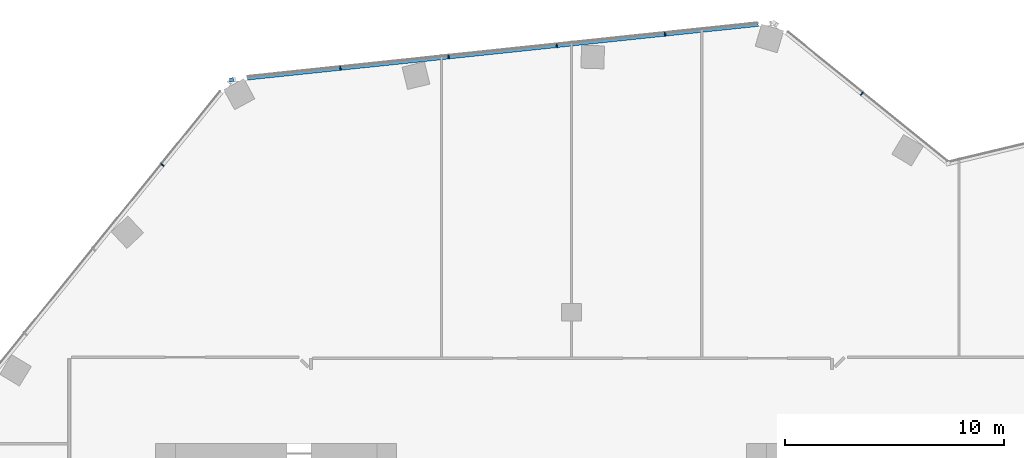
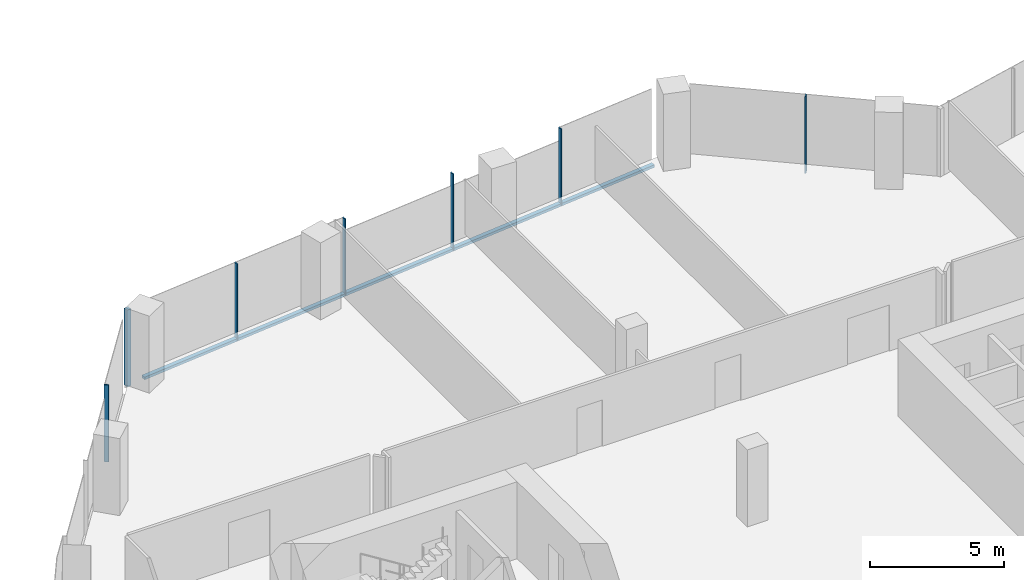
# One storey, part 11 of 23: 8 members, 3 elements without a shape of their own.
"""IFC4 building model written with IfcOpenShell, lengths in metres."""

from ifc_helpers import new_model, si_unit, direction, frame, origin, origin_2d, place, context, subcontext, project, spatial, rectangle, extrude, material, material_profile, profile_set, type_object, element, aggregate, save


model = new_model("IFC4")

# Units and contexts
model_context = context("Model", 3, precision=1e-05, world=origin(), true_north=direction((0.0, 1.0)))
body_context = subcontext(model_context, "Body", "Model", "MODEL_VIEW")
ifc_project = project(units=[si_unit("LENGTHUNIT", "METRE"), si_unit("AREAUNIT", "SQUARE_METRE"), si_unit("VOLUMEUNIT", "CUBIC_METRE"), si_unit("PLANEANGLEUNIT", "RADIAN"), si_unit("MASSUNIT", "GRAM", prefix="KILO")], contexts=[model_context])

# Site, building, storey
site_placement = place(None, origin())
site = spatial("IfcSite", under=ifc_project, at=site_placement, CompositionType="ELEMENT")
building_placement = place(site_placement, origin())
building = spatial("IfcBuilding", under=site, at=building_placement, Name="Orlundy Tower", CompositionType="ELEMENT")
storey_placement = place(building_placement, frame((0.0, 0.0, 224.5)))
storey = spatial("IfcBuildingStorey", under=building, at=storey_placement, Name="L59", CompositionType="ELEMENT", Elevation=224.5)

# Curtain wall, member
ifc_material_1 = material(Name="Aluminium bronze anodised", Category="aluminium")
curtain_wall_type = type_object("IfcCurtainWallType", Name="CW1 wall", PredefinedType="NOTDEFINED", material=ifc_material_1)
curtain_wall_1_placement = place(storey_placement, origin())
curtain_wall_1 = element("IfcCurtainWall", 1, at=curtain_wall_1_placement, inside=storey, type_object=curtain_wall_type, Name="CW1 run 04", PredefinedType="NOTDEFINED")
ifc_material_2 = material(Name="Aluminium bronze anodised", Category="aluminium")
ifc_material_profile_1 = material_profile(ifc_material_2, rectangle(XDim=0.179931640625, YDim=0.179931640625, at=origin_2d()), Name="CW1 corner post 180x180")
ifc_profile_set_1 = profile_set([ifc_material_profile_1], Name="Aluminium bronze anodised")
member_type_1 = type_object("IfcMemberType", Name="CW1 corner post 180x180", PredefinedType="MULLION", material=ifc_profile_set_1)
member_1_placement = place(storey_placement, frame((-15.54052734375, 28.62255859375, -0.419921875), z_axis=(0.0, 0.0, 1.0), x_axis=(-0.104538162943, 0.994520875843, 0.0)))
member_1 = element("IfcMember", 2, at=member_1_placement, type_object=member_type_1, Name="CW1 mullion 15", PredefinedType="MULLION", context=body_context, shape_type="SweptSolid", body=[
    extrude(rectangle(XDim=0.179931640625, YDim=0.179931640625, at=origin_2d()), origin(), (0.0, 0.0, 1.0), 3.5),
])

curtain_wall_2_placement = place(storey_placement, origin())
curtain_wall_2 = element("IfcCurtainWall", 3, at=curtain_wall_2_placement, inside=storey, type_object=curtain_wall_type, Name="CW1 run 03", PredefinedType="NOTDEFINED")
ifc_material_3 = material(Name="Aluminium bronze anodised", Category="aluminium")
ifc_material_profile_2 = material_profile(ifc_material_3, rectangle(XDim=0.179931640625, YDim=0.050048828125, at=origin_2d()), Name="CW1 mullion 50x180")
ifc_profile_set_2 = profile_set([ifc_material_profile_2], Name="Aluminium bronze anodised")
member_type_2 = type_object("IfcMemberType", Name="CW1 mullion 50x180", PredefinedType="MULLION", material=ifc_profile_set_2)
member_2_placement = place(storey_placement, frame((-18.692138671875, 24.730712890625, -0.419921875), z_axis=(0.0, 0.0, 1.0), x_axis=(-0.777145540374, 0.629320911043, 0.0)))
member_2 = element("IfcMember", 4, at=member_2_placement, type_object=member_type_2, Name="CW1 mullion 14", PredefinedType="MULLION", context=body_context, shape_type="SweptSolid", body=[
    extrude(rectangle(XDim=0.179931640625, YDim=0.050048828125, at=origin_2d()), origin(), (0.0, 0.0, 1.0), 3.5),
])
aggregate(curtain_wall_2, [member_2])

# Member
member_3_placement = place(storey_placement, frame((-10.560302734375, 29.14599609375, -0.419921875), z_axis=(0.0, 0.0, 1.0), x_axis=(-0.104538162943, 0.994520875843, 0.0)))
member_3 = element("IfcMember", 5, at=member_3_placement, type_object=member_type_2, Name="CW1 mullion 16", PredefinedType="MULLION", context=body_context, shape_type="SweptSolid", body=[
    extrude(rectangle(XDim=0.179931640625, YDim=0.050048828125, at=origin_2d()), origin(), (0.0, 0.0, 1.0), 3.5),
])

member_4_placement = place(storey_placement, frame((-5.616943359375, 29.665771484375, -0.419921875), z_axis=(0.0, 0.0, 1.0), x_axis=(-0.104538162943, 0.994520875843, 0.0)))
member_4 = element("IfcMember", 6, at=member_4_placement, type_object=member_type_2, Name="CW1 mullion 17", PredefinedType="MULLION", context=body_context, shape_type="SweptSolid", body=[
    extrude(rectangle(XDim=0.179931640625, YDim=0.050048828125, at=origin_2d()), origin(), (0.0, 0.0, 1.0), 3.5),
])

member_5_placement = place(storey_placement, frame((-0.673828125, 30.185302734375, -0.419921875), z_axis=(0.0, 0.0, 1.0), x_axis=(-0.104538162943, 0.994520875843, 0.0)))
member_5 = element("IfcMember", 7, at=member_5_placement, type_object=member_type_2, Name="CW1 mullion 18", PredefinedType="MULLION", context=body_context, shape_type="SweptSolid", body=[
    extrude(rectangle(XDim=0.179931640625, YDim=0.050048828125, at=origin_2d()), origin(), (0.0, 0.0, 1.0), 3.5),
])

member_6_placement = place(storey_placement, frame((4.269287109375, 30.704833984375, -0.419921875), z_axis=(0.0, 0.0, 1.0), x_axis=(-0.104538162943, 0.994520875843, 0.0)))
member_6 = element("IfcMember", 8, at=member_6_placement, type_object=member_type_2, Name="CW1 mullion 19", PredefinedType="MULLION", context=body_context, shape_type="SweptSolid", body=[
    extrude(rectangle(XDim=0.179931640625, YDim=0.050048828125, at=origin_2d()), origin(), (0.0, 0.0, 1.0), 3.5),
])

# Curtain wall, member
curtain_wall_3_placement = place(storey_placement, origin())
curtain_wall_3 = element("IfcCurtainWall", 9, at=curtain_wall_3_placement, inside=storey, type_object=curtain_wall_type, Name="CW1 run 05", PredefinedType="NOTDEFINED")
member_7_placement = place(storey_placement, frame((13.256591796875, 27.9833984375, -0.419921875), z_axis=(0.0, 0.0, 1.0), x_axis=(0.629341524139, 0.777128847743, 0.0)))
member_7 = element("IfcMember", 10, at=member_7_placement, type_object=member_type_2, Name="CW1 mullion 21", PredefinedType="MULLION", context=body_context, shape_type="SweptSolid", body=[
    extrude(rectangle(XDim=0.179931640625, YDim=0.050048828125, at=origin_2d()), origin(), (0.0, 0.0, 1.0), 3.5),
])
aggregate(curtain_wall_3, [member_7])

# Member
ifc_material_4 = material(Name="Aluminium bronze anodised", Category="aluminium")
ifc_material_profile_3 = material_profile(ifc_material_4, rectangle(XDim=0.179931640625, YDim=0.1201171875, at=origin_2d()), Name="CW1 transom 180x120")
ifc_profile_set_3 = profile_set([ifc_material_profile_3], Name="Aluminium bronze anodised")
member_type_3 = type_object("IfcMemberType", Name="CW1 transom 180x120", PredefinedType="USERDEFINED", material=ifc_profile_set_3)
member_8_placement = place(storey_placement, frame((-14.81396484375, 28.698974609375, -0.360107421875), z_axis=(0.994520834268, 0.10453855847, 0.0), x_axis=(-0.10453855847, 0.994520834268, 0.0)))
member_8 = element("IfcMember", 11, at=member_8_placement, type_object=member_type_3, Name="CW1 transom", ObjectType="TRANSOM", PredefinedType="USERDEFINED", context=body_context, shape_type="SweptSolid", body=[
    extrude(rectangle(XDim=0.179931640625, YDim=0.1201171875, at=origin_2d()), origin(), (0.0, 0.0, 1.0), 23.46630859375),
])

aggregate(curtain_wall_1, [member_1, member_3, member_4, member_5, member_6, member_8])

save(model, "model.ifc")
